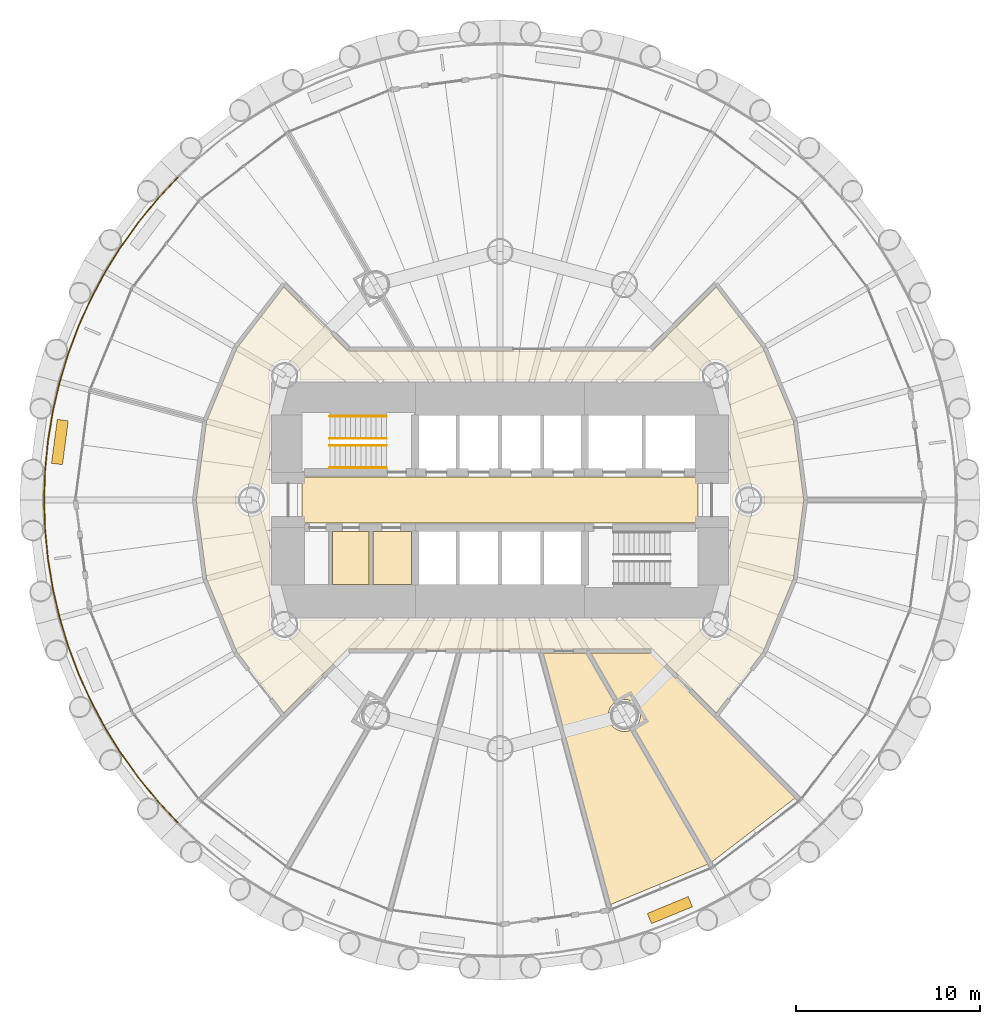
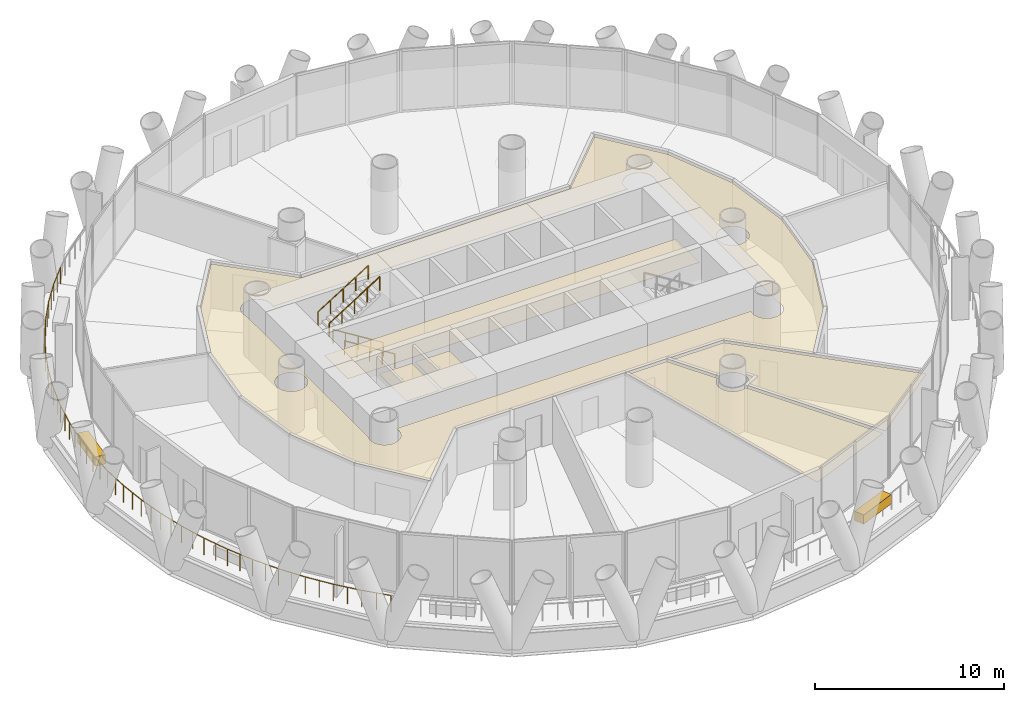
# One storey, part 12 of 14: 8 coverings, 5 railings.
"""IFC4 building model written with IfcOpenShell, lengths in metres."""

import ifcopenshell
import ifcopenshell.guid

model = None  # the IFC model being written
_history = None  # IfcOwnerHistory: only IFC2X3 demands one
_inside = {}  # id of a spatial element -> (the spatial element, [elements in it])
_under = {}  # id of a project, library or spatial element -> (it, [spatial elements below it])
_declared = {}  # id of a project -> (the project, [libraries it declares])
_typed = {}  # id of a type object -> (the type object, [elements of that type])
_made_of = {}  # id of a material, layer set ... -> (it, [elements and type objects made of it])


def new_model(schema):
    """Start an empty IFC model of exactly this schema.

    Asked for "IFC4X3", IfcOpenShell would pick the latest addendum, in which some entities
    have other attributes; the version numbers below select the first issue.
    IFC2X3 requires an IfcOwnerHistory on every rooted entity: one is made here for all.
    """
    global model, _history
    if schema == "IFC4X3":
        model = ifcopenshell.file(schema_version=(4, 3, 0, 0))
    else:
        model = ifcopenshell.file(schema=schema)
    _inside.clear()
    _under.clear()
    _declared.clear()
    _typed.clear()
    _made_of.clear()
    _history = None
    if model.schema == "IFC2X3":
        org = make("IfcOrganization", Name="unknown")
        user = make(
            "IfcPersonAndOrganization",
            ThePerson=make("IfcPerson", FamilyName="unknown"),
            TheOrganization=org,
        )
        app = make(
            "IfcApplication",
            ApplicationDeveloper=org,
            Version="unknown",
            ApplicationFullName="unknown",
            ApplicationIdentifier="unknown",
        )
        _history = make(
            "IfcOwnerHistory",
            OwningUser=user,
            OwningApplication=app,
            ChangeAction="ADDED",
            CreationDate=0,
        )
    return model


def make(cls, **values):
    """One entity of the class cls with the attributes given. An attribute that is None is left unset."""
    return model.create_entity(
        cls, **{name: value for name, value in values.items() if value is not None}
    )


def rooted(cls, **values):
    """An entity with a GlobalId (a new one), such as an element, a storey or a relation."""
    return make(cls, GlobalId=ifcopenshell.guid.new(), OwnerHistory=_history, **values)


def si_unit(unit_type, name, prefix=None):
    """IfcSIUnit, for example si_unit("LENGTHUNIT", "METRE", prefix="MILLI")."""
    return make("IfcSIUnit", UnitType=unit_type, Prefix=prefix, Name=name)


def assignment(units):
    """IfcUnitAssignment: the units of a project."""
    return None if units is None else make("IfcUnitAssignment", Units=units)


def point(xyz):
    """IfcCartesianPoint."""
    return None if xyz is None else make("IfcCartesianPoint", Coordinates=xyz)


def direction(xyz):
    """IfcDirection."""
    return None if xyz is None else make("IfcDirection", DirectionRatios=xyz)


def frame(location, z_axis=None, x_axis=None):
    """IfcAxis2Placement3D, a coordinate frame: its origin and axes. An axis left out is left unset."""
    return make(
        "IfcAxis2Placement3D",
        Location=point(location),
        Axis=direction(z_axis),
        RefDirection=direction(x_axis),
    )


def frame_2d(location, x_axis=None):
    """IfcAxis2Placement2D, a coordinate frame in the plane: its origin and x axis."""
    return make(
        "IfcAxis2Placement2D", Location=point(location), RefDirection=direction(x_axis)
    )


def origin():
    """The frame at (0, 0, 0) with its axes left unset."""
    return frame((0.0, 0.0, 0.0))


def origin_2d():
    """The frame at (0, 0) in the plane with its x axis left unset."""
    return frame_2d((0.0, 0.0))


def place(relative_to, where):
    """IfcLocalPlacement: puts the frame where relative to a parent placement (None: the world)."""
    return make(
        "IfcLocalPlacement", PlacementRelTo=relative_to, RelativePlacement=where
    )


def context(
    kind, dimensions, precision=None, world=None, true_north=None, identifier=None
):
    """IfcGeometricRepresentationContext, for example the 3D "Model" context."""
    return make(
        "IfcGeometricRepresentationContext",
        ContextIdentifier=identifier,
        ContextType=kind,
        CoordinateSpaceDimension=dimensions,
        Precision=precision,
        WorldCoordinateSystem=world,
        TrueNorth=true_north,
    )


def subcontext(parent, identifier, kind, view, scale=None):
    """IfcGeometricRepresentationSubContext, for example "Body" below "Model"."""
    return make(
        "IfcGeometricRepresentationSubContext",
        ContextIdentifier=identifier,
        ContextType=kind,
        ParentContext=parent,
        TargetScale=scale,
        TargetView=view,
    )


def project(units=None, contexts=None):
    """IfcProject with its units and contexts."""
    return rooted(
        "IfcProject",
        Name="project",
        RepresentationContexts=contexts,
        UnitsInContext=assignment(units),
    )


def spatial(cls, under=None, at=None, **own):
    """A site, building, storey or space (cls), placed at a placement, below another one or the project."""
    s = rooted(cls, ObjectPlacement=at, **own)
    if under is not None:
        _under.setdefault(under.id(), (under, []))[1].append(s)
    return s


def polyline(points):
    """IfcPolyline through the points."""
    return make("IfcPolyline", Points=[point(p) for p in points])


def profile(cls, at=None, kind="AREA", **sizes):
    """A parametric profile (cls). Its sizes go by their IFC names, for example OverallWidth=200.0."""
    return make(cls, ProfileType=kind, Position=at, **sizes)


def rectangle(**sizes):
    """IfcRectangleProfileDef."""
    return profile("IfcRectangleProfileDef", **sizes)


def circle(**sizes):
    """IfcCircleProfileDef."""
    return profile("IfcCircleProfileDef", **sizes)


def outline(outer, holes=None, kind="AREA"):
    """IfcArbitraryClosedProfileDef: a profile drawn as a closed curve; with holes, ...WithVoids."""
    if holes is None:
        return make("IfcArbitraryClosedProfileDef", ProfileType=kind, OuterCurve=outer)
    return make(
        "IfcArbitraryProfileDefWithVoids",
        ProfileType=kind,
        OuterCurve=outer,
        InnerCurves=holes,
    )


def extrude(swept, where, along, depth):
    """IfcExtrudedAreaSolid: the profile swept, set in the frame where, extruded along a direction by depth."""
    return make(
        "IfcExtrudedAreaSolid",
        SweptArea=swept,
        Position=where,
        ExtrudedDirection=direction(along),
        Depth=depth,
    )


def shape(context_of_items, identifier, shape_type, items):
    """IfcShapeRepresentation: the items that make up one representation, for example the "Body"."""
    return make(
        "IfcShapeRepresentation",
        ContextOfItems=context_of_items,
        RepresentationIdentifier=identifier,
        RepresentationType=shape_type,
        Items=items,
    )


def material(Name=None, Category=None):
    """IfcMaterial."""
    return make("IfcMaterial", Name=Name, Category=Category)


def layer(
    of_material, thickness, ventilated=None, Name=None, Category=None, Priority=None
):
    """IfcMaterialLayer: one layer of a wall or slab, of a material (None: an air gap)."""
    return make(
        "IfcMaterialLayer",
        Material=of_material,
        LayerThickness=thickness,
        IsVentilated=ventilated,
        Name=Name,
        Category=Category,
        Priority=Priority,
    )


def layer_set(layers, Name=None):
    """IfcMaterialLayerSet."""
    return make("IfcMaterialLayerSet", MaterialLayers=layers, LayerSetName=Name)


def made_of(thing, what):
    """Note that an element or type object is made of a material, layer set ...; save() writes the relation."""
    if what is not None:
        _made_of.setdefault(what.id(), (what, []))[1].append(thing)
    return thing


def type_object(cls, material=None, **own):
    """A type object (cls), such as IfcWallType, which elements share."""
    return made_of(rooted(cls, **own), material)


def element(
    cls,
    number,
    at=None,
    inside=None,
    cuts=None,
    type_object=None,
    material=None,
    context=None,
    identifier="Body",
    shape_type=None,
    held_by="IfcProductDefinitionShape",
    body=None,
    shapes=None,
    **own,
):
    """One element of the class cls, such as IfcWall. Its Tag is "e" and its number.

    at: its placement. inside: the storey or other place that contains it. cuts: it is an
    opening in that element (IfcRelVoidsElement). A single representation is given by context,
    identifier, shape_type and body (its items); several are given by shapes. held_by: the class
    of the entity that holds the representations. save() writes the other relations.
    """
    e = rooted(cls, Tag="e%d" % number, ObjectPlacement=at, **own)
    if body is not None:
        shapes = [shape(context, identifier, shape_type, body)]
    if shapes is not None:
        e.Representation = make(held_by, Representations=shapes)
    if inside is not None:
        _inside.setdefault(inside.id(), (inside, []))[1].append(e)
    if cuts is not None:
        rooted(
            "IfcRelVoidsElement", RelatingBuildingElement=cuts, RelatedOpeningElement=e
        )
    if type_object is not None:
        _typed.setdefault(type_object.id(), (type_object, []))[1].append(e)
    return made_of(e, material)


def aggregate(whole, parts):
    """IfcRelAggregates: a whole, such as a stair, and the parts it consists of."""
    return rooted("IfcRelAggregates", RelatingObject=whole, RelatedObjects=parts)


def save(model, path):
    """Write the relations noted so far, then the file.

    IfcRelAggregates (storeys below a building ...), IfcRelContainedInSpatialStructure (elements
    in a storey), IfcRelDefinesByType, IfcRelAssociatesMaterial and IfcRelDeclares: one each for
    every whole, place, type object, material and project.
    """
    for whole, parts in _under.values():
        aggregate(whole, parts)
    for where, things in _inside.values():
        rooted(
            "IfcRelContainedInSpatialStructure",
            RelatedElements=things,
            RelatingStructure=where,
        )
    for kind, things in _typed.values():
        rooted("IfcRelDefinesByType", RelatedObjects=things, RelatingType=kind)
    for what, things in _made_of.values():
        rooted("IfcRelAssociatesMaterial", RelatedObjects=things, RelatingMaterial=what)
    for by, libraries in _declared.values():
        rooted("IfcRelDeclares", RelatingContext=by, RelatedDefinitions=libraries)
    model.write(path)


model = new_model("IFC4")

# Units and contexts
model_context = context("Model", 3, precision=1e-05, world=origin(), true_north=direction((0.0, 1.0)))
body_context = subcontext(model_context, "Body", "Model", "MODEL_VIEW")
ifc_project = project(units=[si_unit("LENGTHUNIT", "METRE"), si_unit("AREAUNIT", "SQUARE_METRE"), si_unit("VOLUMEUNIT", "CUBIC_METRE"), si_unit("PLANEANGLEUNIT", "RADIAN"), si_unit("MASSUNIT", "GRAM", prefix="KILO")], contexts=[model_context])

# Site, building, storey
site_placement = place(None, origin())
site = spatial("IfcSite", under=ifc_project, at=site_placement, CompositionType="ELEMENT")
building_placement = place(site_placement, origin())
building = spatial("IfcBuilding", under=site, at=building_placement, Name="Qaws Media Tower", CompositionType="ELEMENT")
storey_placement = place(building_placement, frame((0.0, 0.0, 93.199951171875)))
storey = spatial("IfcBuildingStorey", under=building, at=storey_placement, Name="L20", CompositionType="ELEMENT", Elevation=93.199951171875)

# Railing
ifc_material_1 = material(Name="Stainless steel and glass guard", Category="steel")
railing_type_1 = type_object("IfcRailingType", Name="Balcony guard 1100", PredefinedType="GUARDRAIL", material=ifc_material_1)
railing_placement = place(storey_placement, frame((42.4990234375, 67.5009765625, 0.0)))
element("IfcRailing", 1, at=railing_placement, inside=storey, type_object=railing_type_1, Name="GR1 balcony guard L20-2", PredefinedType="GUARDRAIL", context=body_context, shape_type="SweptSolid", body=[
    extrude(circle(Radius=0.02392578125, at=origin_2d()), frame((0.0, 0.0, 1.076171875), z_axis=(-0.683590062432, -0.729866170297, 0.0), x_axis=(0.729866170297, -0.683590062432, 0.0)), (0.0, 0.0, 1.0), 1.61962890625),
    extrude(circle(Radius=0.02392578125, at=origin_2d()), frame((-1.107177734375, -1.18212890625, 1.076171875), z_axis=(-0.634353572698, -0.773043042014, 0.0), x_axis=(0.773043042014, -0.634353572698, 0.0)), (0.0, 0.0, 1.0), 1.61962890625),
    extrude(circle(Radius=0.02392578125, at=origin_2d()), frame((-2.134521484375, -2.43408203125, 1.076171875), z_axis=(-0.582421013826, -0.812887300094, 0.0), x_axis=(0.812887300094, -0.582421013826, 0.0)), (0.0, 0.0, 1.0), 1.61962890625),
    extrude(circle(Radius=0.02392578125, at=origin_2d()), frame((-3.077880859375, -3.750732421875, 1.076171875), z_axis=(-0.528086930449, -0.849190316648, 0.0), x_axis=(0.849190316648, -0.528086930449, 0.0)), (0.0, 0.0, 1.0), 1.619384765625),
    extrude(circle(Radius=0.02392578125, at=origin_2d()), frame((-3.93310546875, -5.1259765625, 1.076171875), z_axis=(-0.471346949738, -0.881947874294, 0.0), x_axis=(0.881947874294, -0.471346949738, 0.0)), (0.0, 0.0, 1.0), 1.61962890625),
    extrude(circle(Radius=0.02392578125, at=origin_2d()), frame((-4.696533203125, -6.554443359375, 1.076171875), z_axis=(-0.412757736329, -0.910840848393, 0.0), x_axis=(0.910840848393, -0.412757736329, 0.0)), (0.0, 0.0, 1.0), 1.619384765625),
    extrude(circle(Radius=0.02392578125, at=origin_2d()), frame((-5.364990234375, -8.029541015625, 1.076171875), z_axis=(-0.352262970537, -0.935901062927, 0.0), x_axis=(0.935901062927, -0.352262970537, 0.0)), (0.0, 0.0, 1.0), 1.61962890625),
    extrude(circle(Radius=0.02392578125, at=origin_2d()), frame((-5.935546875, -9.54541015625, 1.076171875), z_axis=(-0.290333716596, -0.956925458438, 0.0), x_axis=(0.956925458438, -0.290333716596, 0.0)), (0.0, 0.0, 1.0), 1.61962890625),
    extrude(circle(Radius=0.02392578125, at=origin_2d()), frame((-6.40576171875, -11.09521484375, 1.076171875), z_axis=(-0.227005652619, -0.973893440618, 0.0), x_axis=(0.973893440618, -0.227005652619, 0.0)), (0.0, 0.0, 1.0), 1.61962890625),
    extrude(circle(Radius=0.02392578125, at=origin_2d()), frame((-6.7734375, -12.672607421875, 1.076171875), z_axis=(-0.162956538036, -0.986633248331, 0.0), x_axis=(0.986633248331, -0.162956538036, 0.0)), (0.0, 0.0, 1.0), 1.61962890625),
    extrude(circle(Radius=0.02392578125, at=origin_2d()), frame((-7.037353515625, -14.2705078125, 1.076171875), z_axis=(-0.097981273566, -0.995188258587, 0.0), x_axis=(0.995188258587, -0.097981273566, 0.0)), (0.0, 0.0, 1.0), 1.61962890625),
    extrude(circle(Radius=0.02392578125, at=origin_2d()), frame((-7.196044921875, -15.88232421875, 1.076171875), z_axis=(-0.032712498078, -0.999464803017, 0.0), x_axis=(0.999464803017, -0.032712498078, 0.0)), (0.0, 0.0, 1.0), 1.61962890625),
    extrude(circle(Radius=0.02392578125, at=origin_2d()), frame((-7.2490234375, -17.5009765625, 1.076171875), z_axis=(0.032712498078, -0.999464803017, 0.0), x_axis=(0.999464803017, 0.032712498078, 0.0)), (0.0, 0.0, 1.0), 1.61962890625),
    extrude(circle(Radius=0.02392578125, at=origin_2d()), frame((-7.196044921875, -19.11962890625, 1.076171875), z_axis=(0.097981273566, -0.995188258587, 0.0), x_axis=(0.995188258587, 0.097981273566, 0.0)), (0.0, 0.0, 1.0), 1.61962890625),
    extrude(circle(Radius=0.02392578125, at=origin_2d()), frame((-7.037353515625, -20.7314453125, 1.076171875), z_axis=(0.162956538036, -0.986633248331, 0.0), x_axis=(0.986633248331, 0.162956538036, 0.0)), (0.0, 0.0, 1.0), 1.61962890625),
    extrude(circle(Radius=0.02392578125, at=origin_2d()), frame((-6.7734375, -22.329345703125, 1.076171875), z_axis=(0.227005652619, -0.973893440618, 0.0), x_axis=(0.973893440618, 0.227005652619, 0.0)), (0.0, 0.0, 1.0), 1.61962890625),
    extrude(circle(Radius=0.02392578125, at=origin_2d()), frame((-6.40576171875, -23.90673828125, 1.076171875), z_axis=(0.290333716596, -0.956925458438, 0.0), x_axis=(0.956925458438, 0.290333716596, 0.0)), (0.0, 0.0, 1.0), 1.61962890625),
    extrude(circle(Radius=0.02392578125, at=origin_2d()), frame((-5.935546875, -25.45654296875, 1.076171875), z_axis=(0.352262970537, -0.935901062927, 0.0), x_axis=(0.935901062927, 0.352262970537, 0.0)), (0.0, 0.0, 1.0), 1.61962890625),
    extrude(circle(Radius=0.02392578125, at=origin_2d()), frame((-5.364990234375, -26.972412109375, 1.076171875), z_axis=(0.412757736329, -0.910840848393, 0.0), x_axis=(0.910840848393, 0.412757736329, 0.0)), (0.0, 0.0, 1.0), 1.619384765625),
    extrude(circle(Radius=0.02392578125, at=origin_2d()), frame((-4.696533203125, -28.447509765625, 1.076171875), z_axis=(0.471346949738, -0.881947874294, 0.0), x_axis=(0.881947874294, 0.471346949738, 0.0)), (0.0, 0.0, 1.0), 1.61962890625),
    extrude(circle(Radius=0.02392578125, at=origin_2d()), frame((-3.93310546875, -29.8759765625, 1.076171875), z_axis=(0.528086930449, -0.849190316648, 0.0), x_axis=(0.849190316648, 0.528086930449, 0.0)), (0.0, 0.0, 1.0), 1.619384765625),
    extrude(circle(Radius=0.02392578125, at=origin_2d()), frame((-3.077880859375, -31.251220703125, 1.076171875), z_axis=(0.582421013826, -0.812887300094, 0.0), x_axis=(0.812887300094, 0.582421013826, 0.0)), (0.0, 0.0, 1.0), 1.61962890625),
    extrude(circle(Radius=0.02392578125, at=origin_2d()), frame((-2.134521484375, -32.56787109375, 1.076171875), z_axis=(0.634353572698, -0.773043042014, 0.0), x_axis=(0.773043042014, 0.634353572698, 0.0)), (0.0, 0.0, 1.0), 1.61962890625),
    extrude(circle(Radius=0.02392578125, at=origin_2d()), frame((-1.107177734375, -33.81982421875, 1.076171875), z_axis=(0.683590062432, -0.729866170297, 0.0), x_axis=(0.729866170297, 0.683590062432, 0.0)), (0.0, 0.0, 1.0), 1.61962890625),
    extrude(circle(Radius=0.02099609375, at=origin_2d()), origin(), (0.0, 0.0, 1.0), 1.052001953125),
    extrude(circle(Radius=0.02099609375, at=origin_2d()), frame((-0.5537109375, -0.591064453125, 0.0)), (0.0, 0.0, 1.0), 1.052001953125),
    extrude(circle(Radius=0.02099609375, at=origin_2d()), frame((-1.107177734375, -1.18212890625, 0.0)), (0.0, 0.0, 1.0), 1.052001953125),
    extrude(circle(Radius=0.02099609375, at=origin_2d()), frame((-1.620849609375, -1.80810546875, 0.0)), (0.0, 0.0, 1.0), 1.052001953125),
    extrude(circle(Radius=0.02099609375, at=origin_2d()), frame((-2.134521484375, -2.43408203125, 0.0)), (0.0, 0.0, 1.0), 1.052001953125),
    extrude(circle(Radius=0.02099609375, at=origin_2d()), frame((-2.606201171875, -3.09228515625, 0.0)), (0.0, 0.0, 1.0), 1.052001953125),
    extrude(circle(Radius=0.02099609375, at=origin_2d()), frame((-3.077880859375, -3.750732421875, 0.0)), (0.0, 0.0, 1.0), 1.052001953125),
    extrude(circle(Radius=0.02099609375, at=origin_2d()), frame((-3.50537109375, -4.4384765625, 0.0)), (0.0, 0.0, 1.0), 1.052001953125),
    extrude(circle(Radius=0.02099609375, at=origin_2d()), frame((-3.93310546875, -5.1259765625, 0.0)), (0.0, 0.0, 1.0), 1.052001953125),
    extrude(circle(Radius=0.02099609375, at=origin_2d()), frame((-4.31494140625, -5.84033203125, 0.0)), (0.0, 0.0, 1.0), 1.052001953125),
    extrude(circle(Radius=0.02099609375, at=origin_2d()), frame((-4.696533203125, -6.554443359375, 0.0)), (0.0, 0.0, 1.0), 1.052001953125),
    extrude(circle(Radius=0.02099609375, at=origin_2d()), frame((-5.03076171875, -7.2919921875, 0.0)), (0.0, 0.0, 1.0), 1.052001953125),
    extrude(circle(Radius=0.02099609375, at=origin_2d()), frame((-5.364990234375, -8.029541015625, 0.0)), (0.0, 0.0, 1.0), 1.052001953125),
    extrude(circle(Radius=0.02099609375, at=origin_2d()), frame((-5.650390625, -8.78759765625, 0.0)), (0.0, 0.0, 1.0), 1.052001953125),
    extrude(circle(Radius=0.02099609375, at=origin_2d()), frame((-5.935546875, -9.54541015625, 0.0)), (0.0, 0.0, 1.0), 1.052001953125),
    extrude(circle(Radius=0.02099609375, at=origin_2d()), frame((-6.170654296875, -10.3203125, 0.0)), (0.0, 0.0, 1.0), 1.052001953125),
    extrude(circle(Radius=0.02099609375, at=origin_2d()), frame((-6.40576171875, -11.09521484375, 0.0)), (0.0, 0.0, 1.0), 1.052001953125),
    extrude(circle(Radius=0.02099609375, at=origin_2d()), frame((-6.589599609375, -11.8837890625, 0.0)), (0.0, 0.0, 1.0), 1.052001953125),
    extrude(circle(Radius=0.02099609375, at=origin_2d()), frame((-6.7734375, -12.672607421875, 0.0)), (0.0, 0.0, 1.0), 1.052001953125),
    extrude(circle(Radius=0.02099609375, at=origin_2d()), frame((-6.9052734375, -13.4716796875, 0.0)), (0.0, 0.0, 1.0), 1.052001953125),
    extrude(circle(Radius=0.02099609375, at=origin_2d()), frame((-7.037353515625, -14.2705078125, 0.0)), (0.0, 0.0, 1.0), 1.052001953125),
    extrude(circle(Radius=0.02099609375, at=origin_2d()), frame((-7.11669921875, -15.076416015625, 0.0)), (0.0, 0.0, 1.0), 1.052001953125),
    extrude(circle(Radius=0.02099609375, at=origin_2d()), frame((-7.196044921875, -15.88232421875, 0.0)), (0.0, 0.0, 1.0), 1.052001953125),
    extrude(circle(Radius=0.02099609375, at=origin_2d()), frame((-7.22265625, -16.691650390625, 0.0)), (0.0, 0.0, 1.0), 1.052001953125),
    extrude(circle(Radius=0.02099609375, at=origin_2d()), frame((-7.2490234375, -17.5009765625, 0.0)), (0.0, 0.0, 1.0), 1.052001953125),
    extrude(circle(Radius=0.02099609375, at=origin_2d()), frame((-7.22265625, -18.310302734375, 0.0)), (0.0, 0.0, 1.0), 1.052001953125),
    extrude(circle(Radius=0.02099609375, at=origin_2d()), frame((-7.196044921875, -19.11962890625, 0.0)), (0.0, 0.0, 1.0), 1.052001953125),
    extrude(circle(Radius=0.02099609375, at=origin_2d()), frame((-7.11669921875, -19.925537109375, 0.0)), (0.0, 0.0, 1.0), 1.052001953125),
    extrude(circle(Radius=0.02099609375, at=origin_2d()), frame((-7.037353515625, -20.7314453125, 0.0)), (0.0, 0.0, 1.0), 1.052001953125),
    extrude(circle(Radius=0.02099609375, at=origin_2d()), frame((-6.9052734375, -21.5302734375, 0.0)), (0.0, 0.0, 1.0), 1.052001953125),
    extrude(circle(Radius=0.02099609375, at=origin_2d()), frame((-6.7734375, -22.329345703125, 0.0)), (0.0, 0.0, 1.0), 1.052001953125),
    extrude(circle(Radius=0.02099609375, at=origin_2d()), frame((-6.589599609375, -23.1181640625, 0.0)), (0.0, 0.0, 1.0), 1.052001953125),
    extrude(circle(Radius=0.02099609375, at=origin_2d()), frame((-6.40576171875, -23.90673828125, 0.0)), (0.0, 0.0, 1.0), 1.052001953125),
    extrude(circle(Radius=0.02099609375, at=origin_2d()), frame((-6.170654296875, -24.681640625, 0.0)), (0.0, 0.0, 1.0), 1.052001953125),
    extrude(circle(Radius=0.02099609375, at=origin_2d()), frame((-5.935546875, -25.45654296875, 0.0)), (0.0, 0.0, 1.0), 1.052001953125),
    extrude(circle(Radius=0.02099609375, at=origin_2d()), frame((-5.650390625, -26.21435546875, 0.0)), (0.0, 0.0, 1.0), 1.052001953125),
    extrude(circle(Radius=0.02099609375, at=origin_2d()), frame((-5.364990234375, -26.972412109375, 0.0)), (0.0, 0.0, 1.0), 1.052001953125),
    extrude(circle(Radius=0.02099609375, at=origin_2d()), frame((-5.03076171875, -27.7099609375, 0.0)), (0.0, 0.0, 1.0), 1.052001953125),
    extrude(circle(Radius=0.02099609375, at=origin_2d()), frame((-4.696533203125, -28.447509765625, 0.0)), (0.0, 0.0, 1.0), 1.052001953125),
    extrude(circle(Radius=0.02099609375, at=origin_2d()), frame((-4.31494140625, -29.16162109375, 0.0)), (0.0, 0.0, 1.0), 1.052001953125),
    extrude(circle(Radius=0.02099609375, at=origin_2d()), frame((-3.93310546875, -29.8759765625, 0.0)), (0.0, 0.0, 1.0), 1.052001953125),
    extrude(circle(Radius=0.02099609375, at=origin_2d()), frame((-3.50537109375, -30.5634765625, 0.0)), (0.0, 0.0, 1.0), 1.052001953125),
    extrude(circle(Radius=0.02099609375, at=origin_2d()), frame((-3.077880859375, -31.251220703125, 0.0)), (0.0, 0.0, 1.0), 1.052001953125),
    extrude(circle(Radius=0.02099609375, at=origin_2d()), frame((-2.606201171875, -31.90966796875, 0.0)), (0.0, 0.0, 1.0), 1.052001953125),
    extrude(circle(Radius=0.02099609375, at=origin_2d()), frame((-2.134521484375, -32.56787109375, 0.0)), (0.0, 0.0, 1.0), 1.052001953125),
    extrude(circle(Radius=0.02099609375, at=origin_2d()), frame((-1.620849609375, -33.19384765625, 0.0)), (0.0, 0.0, 1.0), 1.052001953125),
    extrude(circle(Radius=0.02099609375, at=origin_2d()), frame((-1.107177734375, -33.81982421875, 0.0)), (0.0, 0.0, 1.0), 1.052001953125),
    extrude(circle(Radius=0.02099609375, at=origin_2d()), frame((-0.5537109375, -34.410888671875, 0.0)), (0.0, 0.0, 1.0), 1.052001953125),
    extrude(circle(Radius=0.02099609375, at=origin_2d()), frame((0.0, -35.001953125, 0.0)), (0.0, 0.0, 1.0), 1.052001953125),
])

# Coverings
ifc_material_2 = material(Name="600 x 600 mineral fibre tiles in exposed grid, suspended", Category="mineral fibre")
ifc_layer_1 = layer(ifc_material_2, 0.02001953125)
ifc_layer_set_1 = layer_set([ifc_layer_1], Name="Mineral fibre tile ceiling 20")
covering_type_1 = type_object("IfcCoveringType", Name="Mineral fibre tile ceiling 20", PredefinedType="CEILING", material=ifc_layer_set_1)
covering_1_placement = place(storey_placement, frame((0.0, 0.0, 2.85009765625)))
element("IfcCovering", 2, at=covering_1_placement, inside=storey, type_object=covering_type_1, Name="CL1 ceiling L20-01 Corridor", PredefinedType="CEILING", context=body_context, shape_type="SweptSolid", body=[
    extrude(outline(polyline([(44.0751953125, 45.73291015625), (43.513427734375, 50.0), (44.0751953125, 54.26708984375), (45.72216796875, 58.243408203125), (48.273193359375, 61.567626953125), (51.75341796875, 58.08740234375), (68.24658203125, 58.08740234375), (71.726806640625, 61.567626953125), (74.27783203125, 58.243408203125), (75.9248046875, 54.26708984375), (76.486572265625, 50.0), (75.9248046875, 45.73291015625), (74.27783203125, 41.756591796875), (71.726806640625, 38.432373046875), (68.24658203125, 41.91259765625), (51.75341796875, 41.91259765625), (48.273193359375, 38.432373046875), (45.72216796875, 41.756591796875), (44.0751953125, 45.73291015625)]), holes=[polyline([(49.14599609375, 56.512451171875), (49.14990234375, 56.524658203125), (49.172119140625, 56.63623046875), (49.1796875, 56.75), (49.172119140625, 56.86376953125), (49.14990234375, 56.975341796875), (49.11328125, 57.083251953125), (49.06298828125, 57.185546875), (48.999755859375, 57.2802734375), (48.924560546875, 57.365966796875), (48.8388671875, 57.44091796875), (48.744140625, 57.50439453125), (48.64208984375, 57.5546875), (48.5341796875, 57.59130859375), (48.42236328125, 57.613525390625), (48.30859375, 57.62109375), (48.195068359375, 57.613525390625), (48.083251953125, 57.59130859375), (47.975341796875, 57.5546875), (47.873291015625, 57.50439453125), (47.7783203125, 57.44091796875), (47.69287109375, 57.365966796875), (47.61767578125, 57.2802734375), (47.55419921875, 57.185546875), (47.50390625, 57.083251953125), (47.46728515625, 56.975341796875), (47.445068359375, 56.86376953125), (47.437744140625, 56.75), (47.445068359375, 56.63623046875), (47.46728515625, 56.524658203125), (47.487548828125, 56.465087890625), (47.487548828125, 43.534912109375), (47.46728515625, 43.475341796875), (47.445068359375, 43.36376953125), (47.437744140625, 43.25), (47.445068359375, 43.13623046875), (47.46728515625, 43.024658203125), (47.50390625, 42.916748046875), (47.55419921875, 42.814453125), (47.61767578125, 42.7197265625), (47.69287109375, 42.634033203125), (47.7783203125, 42.55908203125), (47.873291015625, 42.49560546875), (47.975341796875, 42.4453125), (48.083251953125, 42.40869140625), (48.195068359375, 42.386474609375), (48.30859375, 42.37890625), (48.42236328125, 42.386474609375), (48.5341796875, 42.40869140625), (48.64208984375, 42.4453125), (48.744140625, 42.49560546875), (48.8388671875, 42.55908203125), (48.924560546875, 42.634033203125), (48.999755859375, 42.7197265625), (49.06298828125, 42.814453125), (49.11328125, 42.916748046875), (49.14990234375, 43.024658203125), (49.172119140625, 43.13623046875), (49.1796875, 43.25), (49.172119140625, 43.36376953125), (49.14990234375, 43.475341796875), (49.14599609375, 43.487548828125), (70.85400390625, 43.487548828125), (70.85009765625, 43.475341796875), (70.827880859375, 43.36376953125), (70.8203125, 43.25), (70.827880859375, 43.13623046875), (70.85009765625, 43.024658203125), (70.88671875, 42.916748046875), (70.93701171875, 42.814453125), (71.000244140625, 42.7197265625), (71.075439453125, 42.634033203125), (71.1611328125, 42.55908203125), (71.255859375, 42.49560546875), (71.35791015625, 42.4453125), (71.4658203125, 42.40869140625), (71.57763671875, 42.386474609375), (71.69140625, 42.37890625), (71.804931640625, 42.386474609375), (71.916748046875, 42.40869140625), (72.024658203125, 42.4453125), (72.126708984375, 42.49560546875), (72.2216796875, 42.55908203125), (72.30712890625, 42.634033203125), (72.38232421875, 42.7197265625), (72.44580078125, 42.814453125), (72.49609375, 42.916748046875), (72.53271484375, 43.024658203125), (72.554931640625, 43.13623046875), (72.562255859375, 43.25), (72.554931640625, 43.36376953125), (72.53271484375, 43.475341796875), (72.512451171875, 43.534912109375), (72.512451171875, 56.465087890625), (72.53271484375, 56.524658203125), (72.554931640625, 56.63623046875), (72.562255859375, 56.75), (72.554931640625, 56.86376953125), (72.53271484375, 56.975341796875), (72.49609375, 57.083251953125), (72.44580078125, 57.185546875), (72.38232421875, 57.2802734375), (72.30712890625, 57.365966796875), (72.2216796875, 57.44091796875), (72.126708984375, 57.50439453125), (72.024658203125, 57.5546875), (71.916748046875, 57.59130859375), (71.804931640625, 57.613525390625), (71.69140625, 57.62109375), (71.57763671875, 57.613525390625), (71.4658203125, 57.59130859375), (71.35791015625, 57.5546875), (71.255859375, 57.50439453125), (71.1611328125, 57.44091796875), (71.075439453125, 57.365966796875), (71.000244140625, 57.2802734375), (70.93701171875, 57.185546875), (70.88671875, 57.083251953125), (70.85009765625, 56.975341796875), (70.827880859375, 56.86376953125), (70.8203125, 56.75), (70.827880859375, 56.63623046875), (70.85009765625, 56.524658203125), (70.85400390625, 56.512451171875), (49.14599609375, 56.512451171875)]), polyline([(47.3046875, 49.666748046875), (47.34130859375, 49.774658203125), (47.363525390625, 49.88623046875), (47.37109375, 50.0), (47.363525390625, 50.11376953125), (47.34130859375, 50.225341796875), (47.3046875, 50.333251953125), (47.25439453125, 50.435546875), (47.19091796875, 50.5302734375), (47.115966796875, 50.615966796875), (47.0302734375, 50.69091796875), (46.935546875, 50.75439453125), (46.833251953125, 50.8046875), (46.725341796875, 50.84130859375), (46.61376953125, 50.863525390625), (46.5, 50.87109375), (46.38623046875, 50.863525390625), (46.274658203125, 50.84130859375), (46.166748046875, 50.8046875), (46.064453125, 50.75439453125), (45.9697265625, 50.69091796875), (45.884033203125, 50.615966796875), (45.80908203125, 50.5302734375), (45.74560546875, 50.435546875), (45.6953125, 50.333251953125), (45.65869140625, 50.225341796875), (45.636474609375, 50.11376953125), (45.62890625, 50.0), (45.636474609375, 49.88623046875), (45.65869140625, 49.774658203125), (45.6953125, 49.666748046875), (45.74560546875, 49.564453125), (45.80908203125, 49.4697265625), (45.884033203125, 49.384033203125), (45.9697265625, 49.30908203125), (46.064453125, 49.24560546875), (46.166748046875, 49.1953125), (46.274658203125, 49.15869140625), (46.38623046875, 49.136474609375), (46.5, 49.12890625), (46.61376953125, 49.136474609375), (46.725341796875, 49.15869140625), (46.833251953125, 49.1953125), (46.935546875, 49.24560546875), (47.0302734375, 49.30908203125), (47.115966796875, 49.384033203125), (47.19091796875, 49.4697265625), (47.25439453125, 49.564453125), (47.3046875, 49.666748046875)]), polyline([(74.34130859375, 49.774658203125), (74.363525390625, 49.88623046875), (74.37109375, 50.0), (74.363525390625, 50.11376953125), (74.34130859375, 50.225341796875), (74.3046875, 50.333251953125), (74.25439453125, 50.435546875), (74.19091796875, 50.5302734375), (74.115966796875, 50.615966796875), (74.0302734375, 50.69091796875), (73.935546875, 50.75439453125), (73.833251953125, 50.8046875), (73.725341796875, 50.84130859375), (73.61376953125, 50.863525390625), (73.5, 50.87109375), (73.38623046875, 50.863525390625), (73.274658203125, 50.84130859375), (73.166748046875, 50.8046875), (73.064453125, 50.75439453125), (72.9697265625, 50.69091796875), (72.884033203125, 50.615966796875), (72.80908203125, 50.5302734375), (72.74560546875, 50.435546875), (72.6953125, 50.333251953125), (72.65869140625, 50.225341796875), (72.636474609375, 50.11376953125), (72.62890625, 50.0), (72.636474609375, 49.88623046875), (72.65869140625, 49.774658203125), (72.6953125, 49.666748046875), (72.74560546875, 49.564453125), (72.80908203125, 49.4697265625), (72.884033203125, 49.384033203125), (72.9697265625, 49.30908203125), (73.064453125, 49.24560546875), (73.166748046875, 49.1953125), (73.274658203125, 49.15869140625), (73.38623046875, 49.136474609375), (73.5, 49.12890625), (73.61376953125, 49.136474609375), (73.725341796875, 49.15869140625), (73.833251953125, 49.1953125), (73.935546875, 49.24560546875), (74.0302734375, 49.30908203125), (74.115966796875, 49.384033203125), (74.19091796875, 49.4697265625), (74.25439453125, 49.564453125), (74.3046875, 49.666748046875), (74.34130859375, 49.774658203125)])]), origin(), (0.0, 0.0, 1.0), 0.02001953125),
])
covering_2_placement = place(storey_placement, frame((0.0, 0.0, 2.85009765625)))
element("IfcCovering", 3, at=covering_2_placement, inside=storey, type_object=covering_type_1, Name="CL1 ceiling L20-08 Gents toilets", PredefinedType="CEILING", context=body_context, shape_type="SweptSolid", body=[
    extrude(outline(polyline([(66.002197265625, 28.03466796875), (62.34375, 41.6875), (64.669189453125, 41.6875), (66.220703125, 39.000244140625), (66.134033203125, 38.924560546875), (66.05908203125, 38.8388671875), (65.99560546875, 38.744140625), (65.9453125, 38.64208984375), (65.90869140625, 38.5341796875), (65.886474609375, 38.42236328125), (65.87890625, 38.30859375), (65.886474609375, 38.195068359375), (65.90869140625, 38.083251953125), (65.9453125, 37.975341796875), (65.99560546875, 37.873291015625), (66.05908203125, 37.7783203125), (66.134033203125, 37.69287109375), (66.2197265625, 37.61767578125), (66.314453125, 37.55419921875), (66.416748046875, 37.50390625), (66.524658203125, 37.46728515625), (66.63623046875, 37.445068359375), (66.75, 37.437744140625), (66.86376953125, 37.445068359375), (66.975341796875, 37.46728515625), (67.08447265625, 37.50439453125), (71.287841796875, 30.22412109375), (66.002197265625, 28.03466796875)])), origin(), (0.0, 0.0, 1.0), 0.02001953125),
])
covering_3_placement = place(storey_placement, frame((0.0, 0.0, 2.85009765625)))
element("IfcCovering", 4, at=covering_3_placement, inside=storey, type_object=covering_type_1, Name="CL1 ceiling L20-09 Ladies toilets", PredefinedType="CEILING", context=body_context, shape_type="SweptSolid", body=[
    extrude(outline(polyline([(71.482666015625, 30.33642578125), (67.279296875, 37.616943359375), (67.365966796875, 37.69287109375), (67.44091796875, 37.7783203125), (67.50439453125, 37.873291015625), (67.5546875, 37.975341796875), (67.59130859375, 38.083251953125), (67.613525390625, 38.195068359375), (67.62109375, 38.30859375), (67.613525390625, 38.42236328125), (67.59130859375, 38.5341796875), (67.5546875, 38.64208984375), (67.50439453125, 38.744140625), (67.44091796875, 38.8388671875), (67.365966796875, 38.924560546875), (67.2802734375, 38.999755859375), (67.185546875, 39.06298828125), (67.083251953125, 39.11328125), (66.975341796875, 39.14990234375), (66.86376953125, 39.172119140625), (66.75, 39.1796875), (66.63623046875, 39.172119140625), (66.524658203125, 39.14990234375), (66.41552734375, 39.11279296875), (64.92919921875, 41.6875), (68.1533203125, 41.6875), (76.021484375, 33.8193359375), (71.482666015625, 30.33642578125)])), origin(), (0.0, 0.0, 1.0), 0.02001953125),
])
covering_4_placement = place(storey_placement, frame((0.0, 0.0, 2.85009765625)))
element("IfcCovering", 5, at=covering_4_placement, inside=storey, type_object=covering_type_1, Name="CL1 ceiling L20-C05 First aid room", PredefinedType="CEILING", context=body_context, shape_type="SweptSolid", body=[
    extrude(outline(polyline([(50.89990234375, 45.39990234375), (50.89990234375, 48.300048828125), (52.89990234375, 48.300048828125), (52.89990234375, 45.39990234375), (50.89990234375, 45.39990234375)])), origin(), (0.0, 0.0, 1.0), 0.02001953125),
])
ifc_material_3 = material(Name="Precast concrete planter with trailing planting", Category="concrete")
ifc_layer_2 = layer(ifc_material_3, 0.60009765625)
ifc_layer_set_2 = layer_set([ifc_layer_2], Name="Planter 2400x600")
covering_type_2 = type_object("IfcCoveringType", Name="Planter 2400x600", PredefinedType="USERDEFINED", material=ifc_layer_set_2)
for number, where, z_axis, x_axis, name in (
    (6, (36.106201171875, 53.145751953125, 0.0), (0.0, 0.0, 1.0), (-0.13052619222, -0.991444861374, 0.0), "PL1 balcony planter L20-06"),
    (7, (69.22265625, 27.734619140625, 0.0), (0.0, 0.0, 1.0), (0.923879532511, 0.382683432365, 0.0), "PL1 balcony planter L20-10"),
):
    element("IfcCovering", number, at=place(storey_placement, frame(where, z_axis=z_axis, x_axis=x_axis)), inside=storey, type_object=covering_type_2, Name=name, ObjectType="PLANTER", PredefinedType="USERDEFINED", context=body_context, shape_type="SweptSolid", body=[
        extrude(rectangle(XDim=2.39990234375, YDim=0.60009765625, at=origin_2d()), origin(), (0.0, 0.0, 1.0), 0.60009765625),
    ])
ifc_material_4 = material(Name="Two layers 12.5 moisture-resistant plasterboard on suspended metal furring", Category="gypsum")
ifc_layer_3 = layer(ifc_material_4, 0.02490234375)
ifc_layer_set_3 = layer_set([ifc_layer_3], Name="Plasterboard ceiling 25")
covering_type_3 = type_object("IfcCoveringType", Name="Plasterboard ceiling 25", PredefinedType="CEILING", material=ifc_layer_set_3)
covering_5_placement = place(storey_placement, frame((0.0, 0.0, 2.85009765625)))
element("IfcCovering", 8, at=covering_5_placement, inside=storey, type_object=covering_type_3, Name="CL2 ceiling L20-C01 Lift lobby", PredefinedType="CEILING", context=body_context, shape_type="SweptSolid", body=[
    extrude(outline(polyline([(49.25, 48.75), (49.25, 51.25), (70.75, 51.25), (70.75, 48.75), (49.25, 48.75)])), origin(), (0.0, 0.0, 1.0), 0.02490234375),
])
covering_6_placement = place(storey_placement, frame((0.0, 0.0, 2.85009765625)))
element("IfcCovering", 9, at=covering_6_placement, inside=storey, type_object=covering_type_3, Name="CL2 ceiling L20-C06 Accessible WC", PredefinedType="CEILING", context=body_context, shape_type="SweptSolid", body=[
    extrude(outline(polyline([(53.10009765625, 45.39990234375), (53.10009765625, 48.300048828125), (55.199951171875, 48.300048828125), (55.199951171875, 45.39990234375), (53.10009765625, 45.39990234375)])), origin(), (0.0, 0.0, 1.0), 0.02490234375),
])

# Railings
ifc_material_5 = material(Name="Steel tube handrail", Category="steel")
railing_type_2 = type_object("IfcRailingType", Name="Stair handrail 900", PredefinedType="HANDRAIL", material=ifc_material_5)
for number, where, name in (
    (10, (53.840087890625, 51.75, 0.175048828125), "HR1 handrail S1 flight 1 L20"),
    (11, (53.840087890625, 52.9599609375, 0.175048828125), "HR1 handrail S1 flight 1 L20"),
):
    element("IfcRailing", number, at=place(storey_placement, frame(where)), inside=storey, type_object=railing_type_2, Name=name, PredefinedType="HANDRAIL", context=body_context, shape_type="SweptSolid", body=[
        extrude(circle(Radius=0.02392578125, at=origin_2d()), frame((0.0, 0.0, 0.8759765625), z_axis=(-0.847998304005, 0.0, 0.529998940003), x_axis=(0.0, -1.0, 0.0)), (0.0, 0.0, 1.0), 3.632080078125),
        extrude(circle(Radius=0.02099609375, at=origin_2d()), origin(), (0.0, 0.0, 1.0), 0.851806640625),
        extrude(circle(Radius=0.02099609375, at=origin_2d()), frame((-0.77001953125, 0.0, 0.481201171875)), (0.0, 0.0, 1.0), 0.851806640625),
        extrude(circle(Radius=0.02099609375, at=origin_2d()), frame((-1.5400390625, 0.0, 0.96240234375)), (0.0, 0.0, 1.0), 0.851806640625),
        extrude(circle(Radius=0.02099609375, at=origin_2d()), frame((-2.31005859375, 0.0, 1.44384765625)), (0.0, 0.0, 1.0), 0.851806640625),
        extrude(circle(Radius=0.02099609375, at=origin_2d()), frame((-3.080078125, 0.0, 1.925048828125)), (0.0, 0.0, 1.0), 0.851806640625),
    ])
for number, where, name in (
    (12, (50.760009765625, 54.550048828125, 2.275146484375), "HR1 handrail S1 flight 2 L20"),
    (13, (50.760009765625, 53.340087890625, 2.275146484375), "HR1 handrail S1 flight 2 L20"),
):
    element("IfcRailing", number, at=place(storey_placement, frame(where)), inside=storey, type_object=railing_type_2, Name=name, PredefinedType="HANDRAIL", context=body_context, shape_type="SweptSolid", body=[
        extrude(circle(Radius=0.02392578125, at=origin_2d()), frame((0.0, 0.0, 0.8759765625), z_axis=(0.848028513186, 0.0, 0.529950602248), x_axis=(0.0, 1.0, 0.0)), (0.0, 0.0, 1.0), 3.632080078125),
        extrude(circle(Radius=0.02099609375, at=origin_2d()), origin(), (0.0, 0.0, 1.0), 0.851806640625),
        extrude(circle(Radius=0.02099609375, at=origin_2d()), frame((0.77001953125, 0.0, 0.481201171875)), (0.0, 0.0, 1.0), 0.851806640625),
        extrude(circle(Radius=0.02099609375, at=origin_2d()), frame((1.5400390625, 0.0, 0.96240234375)), (0.0, 0.0, 1.0), 0.851806640625),
        extrude(circle(Radius=0.02099609375, at=origin_2d()), frame((2.31005859375, 0.0, 1.443603515625)), (0.0, 0.0, 1.0), 0.851806640625),
        extrude(circle(Radius=0.02099609375, at=origin_2d()), frame((3.080078125, 0.0, 1.9248046875)), (0.0, 0.0, 1.0), 0.851806640625),
    ])

save(model, "model.ifc")
